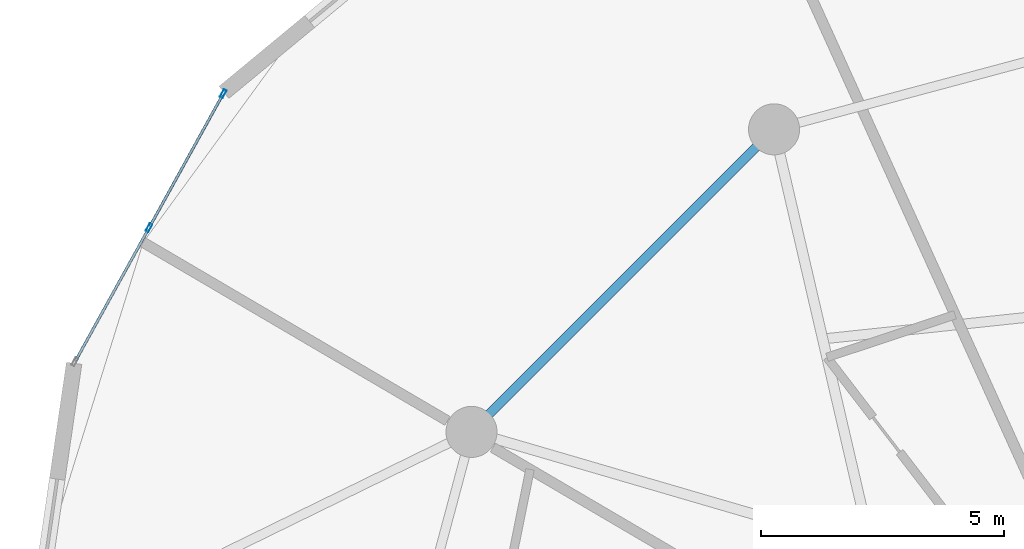
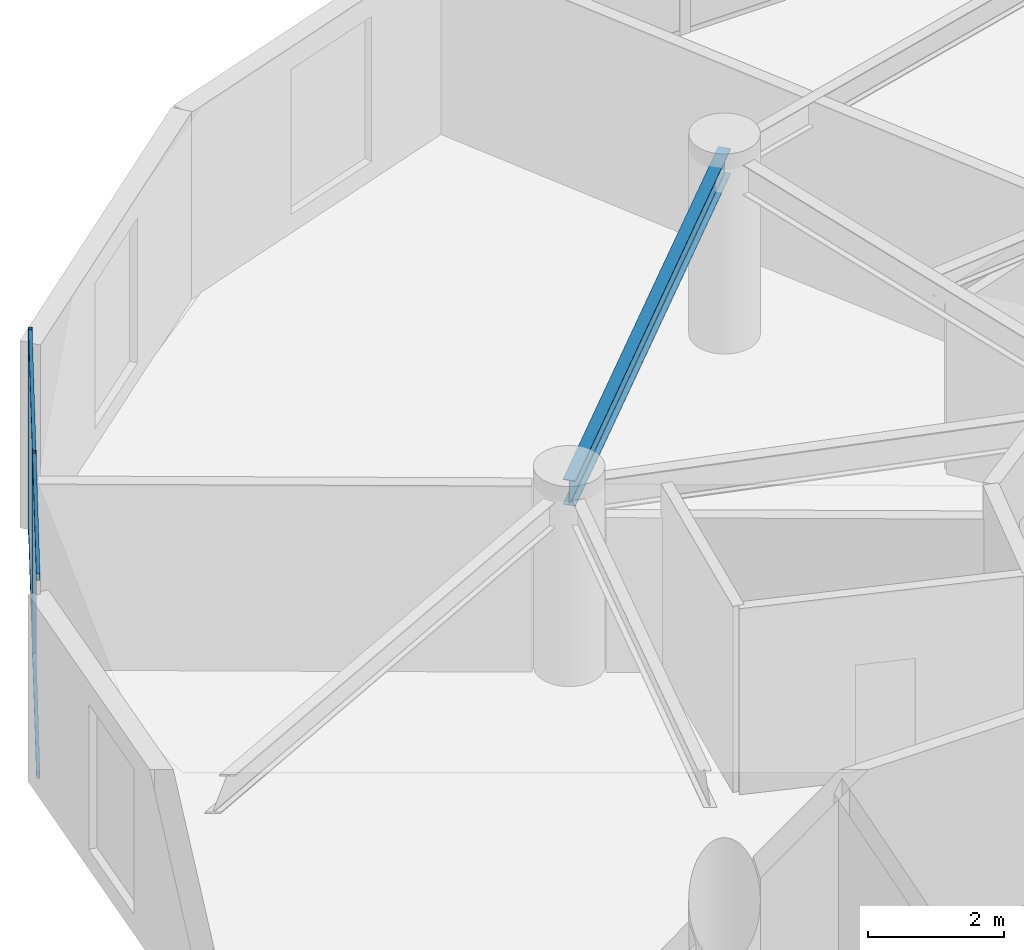
# One storey, part 11 of 21: 6 members, 1 beam, 1 element without a shape of its own.
"""IFC4 building model written with IfcOpenShell, lengths in metres."""

from ifc_helpers import new_model, si_unit, direction, frame, origin, origin_2d, place, context, subcontext, project, spatial, hollow_rectangle, i_section, extrude, source, transform, mapped, material, layer, layer_set, material_profile, profile_set, type_object, element, aggregate, save


model = new_model("IFC4")

# Units and contexts
model_context = context("Model", 3, precision=1e-05, world=origin(), true_north=direction((0.0, 1.0)))
body_context = subcontext(model_context, "Body", "Model", "MODEL_VIEW")
ifc_project = project(units=[si_unit("LENGTHUNIT", "METRE"), si_unit("AREAUNIT", "SQUARE_METRE"), si_unit("VOLUMEUNIT", "CUBIC_METRE"), si_unit("PLANEANGLEUNIT", "RADIAN"), si_unit("MASSUNIT", "GRAM", prefix="KILO")], contexts=[model_context])

# Site, building, storey
site_placement = place(None, origin())
site = spatial("IfcSite", under=ifc_project, at=site_placement, CompositionType="ELEMENT")
building_placement = place(site_placement, origin())
building = spatial("IfcBuilding", under=site, at=building_placement, Name="Solvirekh Grand Hotel", CompositionType="ELEMENT")
storey_placement = place(building_placement, frame((0.0, 0.0, 131.39990234375)))
storey = spatial("IfcBuildingStorey", under=building, at=storey_placement, Name="L33", CompositionType="ELEMENT", Elevation=131.39990234375)

# Beam
ifc_material_1 = material(Name="Steel S355", Category="steel")
ifc_material_profile_1 = material_profile(ifc_material_1, i_section(OverallWidth=0.18994140625, OverallDepth=0.45703125, WebThickness=0.009033203125, FlangeThickness=0.013916015625, FilletRadius=0.012939453125, at=origin_2d()), Name="W460X74")
ifc_profile_set_1 = profile_set([ifc_material_profile_1], Name="Steel S355")
beam_type = type_object("IfcBeamType", Name="Spandrel_Ring_W460", PredefinedType="SPANDREL", material=ifc_profile_set_1)
beam_placement = place(storey_placement, frame((-8.5, 14.721923828125, 3.1220703125), z_axis=(-0.707106781187, -0.707106781187, 0.0), x_axis=(0.707106781187, -0.707106781187, 0.0)))
element("IfcBeam", 1, at=beam_placement, inside=storey, type_object=beam_type, Name="L33 perimeter spandrel beam 5", PredefinedType="SPANDREL", context=body_context, shape_type="SweptSolid", body=[
    extrude(i_section(OverallWidth=0.18994140625, OverallDepth=0.45703125, WebThickness=0.009033203125, FlangeThickness=0.013916015625, FilletRadius=0.012939453125, at=origin_2d()), origin(), (0.0, 0.0, 1.0), 8.799072265625),
])

# Curtain wall, members
ifc_material_2 = material(Name="Anodized Bronze Aluminium 6063-T6", Category="aluminium")
ifc_layer = layer(ifc_material_2, 0.175048828125)
ifc_layer_set = layer_set([ifc_layer], Name="Anodized Bronze Aluminium 6063-T6")
curtain_wall_type = type_object("IfcCurtainWallType", Name="CW_Sys3_MidZoneFlushBronzeCW", PredefinedType="NOTDEFINED", material=ifc_layer_set)
curtain_wall_placement = place(storey_placement, origin())
curtain_wall = element("IfcCurtainWall", 2, at=curtain_wall_placement, inside=storey, type_object=curtain_wall_type, Name="L33 unitised bronze-glass curtain wall CW-L33-C11", PredefinedType="NOTDEFINED")
ifc_material_profile_2 = material_profile(ifc_material_2, hollow_rectangle(XDim=0.054931640625, YDim=0.1201171875, WallThickness=0.00390625, at=origin_2d()), Name="ALU RHS 120X55X4")
ifc_profile_set_2 = profile_set([ifc_material_profile_2], Name="Anodized Bronze Aluminium 6063-T6")
member_type_1 = type_object("IfcMemberType", Name="CWTransom_Sys3", PredefinedType="USERDEFINED", material=ifc_profile_set_2)
shared_shape_1 = source(origin(), body_context, "Body", "SweptSolid", [
    extrude(hollow_rectangle(XDim=0.054931640625, YDim=0.1201171875, WallThickness=0.00390625, at=origin_2d()), origin(), (0.0, 0.0, 1.0), 3.087158203125),
])
member_1_placement = place(storey_placement, frame((-19.844482421875, 15.427001953125, 0.027587890625), z_axis=(-0.483902911654, -0.875121689877, 0.0), x_axis=(0.875121689877, -0.483902911654, 0.0)))
member_1 = element("IfcMember", 3, at=member_1_placement, type_object=member_type_1, Name="U03 transom 1.1", ObjectType="TRANSOM", PredefinedType="USERDEFINED", context=body_context, shape_type="MappedRepresentation", body=[
    mapped(shared_shape_1, transform((0.0, 0.0, 0.0), x_axis=(1.0, 0.0, 0.0), y_axis=(0.0, 1.0, 0.0), z_axis=(0.0, 0.0, 1.0), scale=1.0)),
])
member_2_placement = place(storey_placement, frame((-19.844482421875, 15.427001953125, 3.572509765625), z_axis=(-0.483902911654, -0.875121689877, 0.0), x_axis=(0.875121689877, -0.483902911654, 0.0)))
member_2 = element("IfcMember", 4, at=member_2_placement, type_object=member_type_1, Name="U03 transom 1.2", ObjectType="TRANSOM", PredefinedType="USERDEFINED", context=body_context, shape_type="MappedRepresentation", body=[
    mapped(shared_shape_1, transform((0.0, 0.0, 0.0), x_axis=(1.0, 0.0, 0.0), y_axis=(0.0, 1.0, 0.0), z_axis=(0.0, 0.0, 1.0), scale=1.0)),
])
member_3_placement = place(storey_placement, frame((-21.36962890625, 12.66845703125, 0.027587890625), z_axis=(-0.483902911654, -0.875121689877, 0.0), x_axis=(0.875121689877, -0.483902911654, 0.0)))
member_3 = element("IfcMember", 5, at=member_3_placement, type_object=member_type_1, Name="U03 transom 2.1", ObjectType="TRANSOM", PredefinedType="USERDEFINED", context=body_context, shape_type="MappedRepresentation", body=[
    mapped(shared_shape_1, transform((0.0, 0.0, 0.0), x_axis=(1.0, 0.0, 0.0), y_axis=(0.0, 1.0, 0.0), z_axis=(0.0, 0.0, 1.0), scale=1.0)),
])
member_4_placement = place(storey_placement, frame((-21.36962890625, 12.66845703125, 3.572509765625), z_axis=(-0.483902911654, -0.875121689877, 0.0), x_axis=(0.875121689877, -0.483902911654, 0.0)))
member_4 = element("IfcMember", 6, at=member_4_placement, type_object=member_type_1, Name="U03 transom 2.2", ObjectType="TRANSOM", PredefinedType="USERDEFINED", context=body_context, shape_type="MappedRepresentation", body=[
    mapped(shared_shape_1, transform((0.0, 0.0, 0.0), x_axis=(1.0, 0.0, 0.0), y_axis=(0.0, 1.0, 0.0), z_axis=(0.0, 0.0, 1.0), scale=1.0)),
])
ifc_material_profile_3 = material_profile(ifc_material_2, hollow_rectangle(XDim=0.06494140625, YDim=0.175048828125, WallThickness=0.0048828125, at=origin_2d()), Name="ALU RHS 175X65X5")
ifc_profile_set_3 = profile_set([ifc_material_profile_3], Name="Anodized Bronze Aluminium 6063-T6")
member_type_2 = type_object("IfcMemberType", Name="CWMullion_Sys3", PredefinedType="MULLION", material=ifc_profile_set_3)
shared_shape_2 = source(origin(), body_context, "Body", "SweptSolid", [
    extrude(hollow_rectangle(XDim=0.06494140625, YDim=0.175048828125, WallThickness=0.0048828125, at=origin_2d()), origin(), (0.0, 0.0, 1.0), 3.60009765625),
])
member_5_placement = place(storey_placement, frame((-19.82861328125, 15.45556640625, 0.0), z_axis=(0.0, 0.0, 1.0), x_axis=(0.875133069134, -0.48388233209, 0.0)))
member_5 = element("IfcMember", 7, at=member_5_placement, type_object=member_type_2, Name="U03 mullion 1", PredefinedType="MULLION", context=body_context, shape_type="MappedRepresentation", body=[
    mapped(shared_shape_2, transform((0.0, 0.0, 0.0), x_axis=(1.0, 0.0, 0.0), y_axis=(0.0, 1.0, 0.0), z_axis=(0.0, 0.0, 1.0), scale=1.0)),
])
member_6_placement = place(storey_placement, frame((-21.35400390625, 12.697021484375, 0.0), z_axis=(0.0, 0.0, 1.0), x_axis=(0.875133069134, -0.48388233209, 0.0)))
member_6 = element("IfcMember", 8, at=member_6_placement, type_object=member_type_2, Name="U03 mullion 2", PredefinedType="MULLION", context=body_context, shape_type="MappedRepresentation", body=[
    mapped(shared_shape_2, transform((0.0, 0.0, 0.0), x_axis=(1.0, 0.0, 0.0), y_axis=(0.0, 1.0, 0.0), z_axis=(0.0, 0.0, 1.0), scale=1.0)),
])
aggregate(curtain_wall, [member_5, member_6, member_1, member_2, member_3, member_4])

save(model, "model.ifc")
